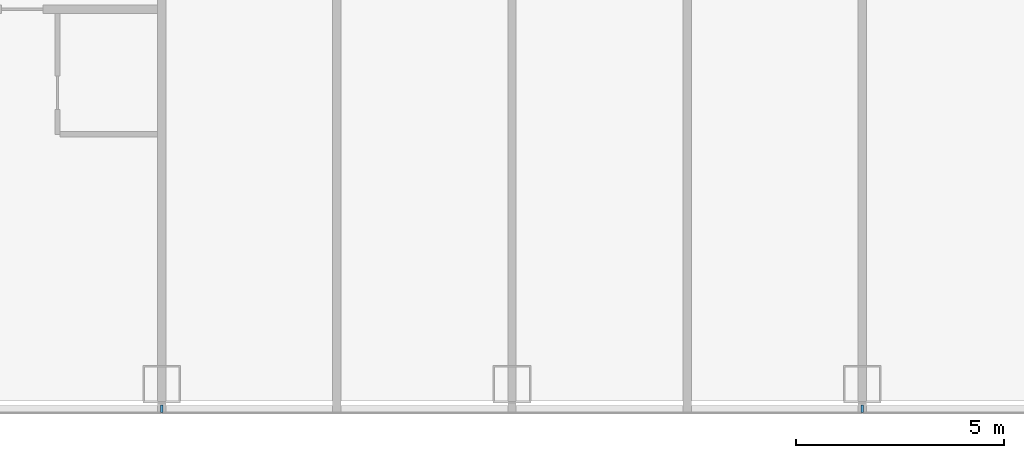
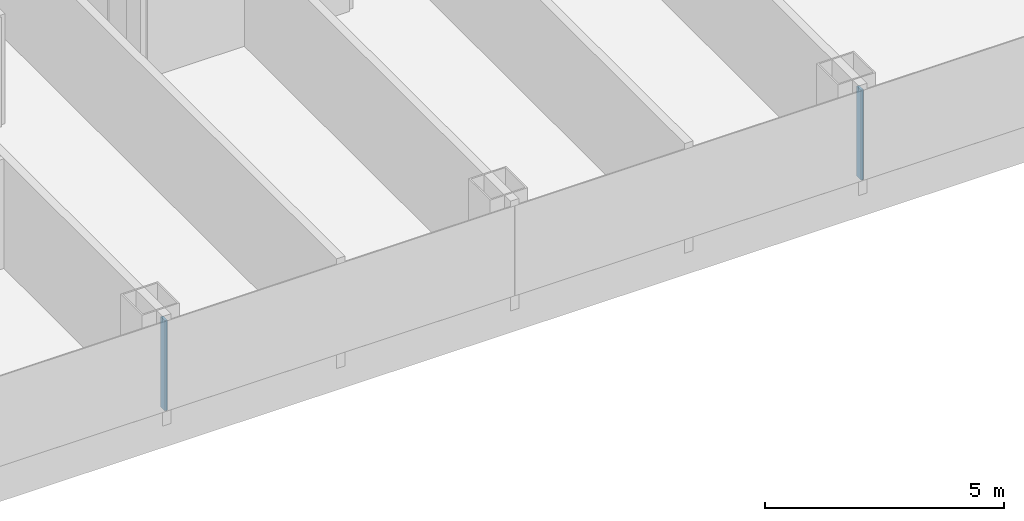
# One storey, part 4 of 29: 2 members, 1 element without a shape of its own.
"""IFC4 building model written with IfcOpenShell, lengths in metres."""

from ifc_helpers import new_model, si_unit, direction, frame, origin, origin_2d, place, context, subcontext, project, spatial, rectangle, extrude, material, layer, layer_set, material_profile, profile_set, type_object, element, aggregate, save


model = new_model("IFC4")

# Units and contexts
model_context = context("Model", 3, precision=1e-05, world=origin(), true_north=direction((0.0, 1.0)))
body_context = subcontext(model_context, "Body", "Model", "MODEL_VIEW")
ifc_project = project(units=[si_unit("LENGTHUNIT", "METRE"), si_unit("AREAUNIT", "SQUARE_METRE"), si_unit("VOLUMEUNIT", "CUBIC_METRE"), si_unit("PLANEANGLEUNIT", "RADIAN"), si_unit("MASSUNIT", "GRAM", prefix="KILO")], contexts=[model_context])

# Site, building, storey
site_placement = place(None, origin())
site = spatial("IfcSite", under=ifc_project, at=site_placement, CompositionType="ELEMENT")
building_placement = place(site_placement, origin())
building = spatial("IfcBuilding", under=site, at=building_placement, Name="Hakoniwa Tower and Hamabe Station Hall", CompositionType="ELEMENT")
storey_placement = place(building_placement, frame((0.0, 0.0, 23.0)))
storey = spatial("IfcBuildingStorey", under=building, at=storey_placement, Name="L05", CompositionType="ELEMENT", Elevation=23.0)

# Curtain wall, members
ifc_material_1 = material(Name="Dark low-e laminated glass", Category="glass")
ifc_layer = layer(ifc_material_1, 0.199951171875)
ifc_layer_set = layer_set([ifc_layer], Name="CW-1 UNITISED GUEST")
curtain_wall_type = type_object("IfcCurtainWallType", Name="CW-1 UNITISED GUEST", PredefinedType="NOTDEFINED", material=ifc_layer_set)
curtain_wall_placement = place(storey_placement, origin())
curtain_wall = element("IfcCurtainWall", 1, at=curtain_wall_placement, inside=storey, type_object=curtain_wall_type, Name="CW-1 curtain wall", PredefinedType="NOTDEFINED")
ifc_material_2 = material(Name="Aluminium 6063-T5 black anodised", Category="aluminium")
ifc_material_profile = material_profile(ifc_material_2, rectangle(XDim=0.06005859375, YDim=0.179931640625, at=origin_2d()), Name="CW-1 MULLION 60X180")
ifc_profile_set = profile_set([ifc_material_profile], Name="Aluminium 6063-T5 black anodised")
member_type = type_object("IfcMemberType", Name="CW-1 MULLION 60X180", PredefinedType="MULLION", material=ifc_profile_set)
member_1_placement = place(storey_placement, frame((-16.800048828125, -20.181884765625, 0.35009765625), z_axis=(0.0, 0.0, 1.0), x_axis=(1.0, 0.0, 0.0)))
member_1 = element("IfcMember", 2, at=member_1_placement, type_object=member_type, Name="CW-1 mullion", PredefinedType="MULLION", context=body_context, shape_type="SweptSolid", body=[
    extrude(rectangle(XDim=0.06005859375, YDim=0.179931640625, at=origin_2d()), origin(), (0.0, 0.0, 1.0), 2.2998046875),
])
member_2_placement = place(storey_placement, frame((0.0, -20.181884765625, 0.35009765625), z_axis=(0.0, 0.0, 1.0), x_axis=(1.0, 0.0, 0.0)))
member_2 = element("IfcMember", 3, at=member_2_placement, type_object=member_type, Name="CW-1 mullion", PredefinedType="MULLION", context=body_context, shape_type="SweptSolid", body=[
    extrude(rectangle(XDim=0.06005859375, YDim=0.179931640625, at=origin_2d()), origin(), (0.0, 0.0, 1.0), 2.2998046875),
])
aggregate(curtain_wall, [member_1, member_2])

save(model, "model.ifc")
